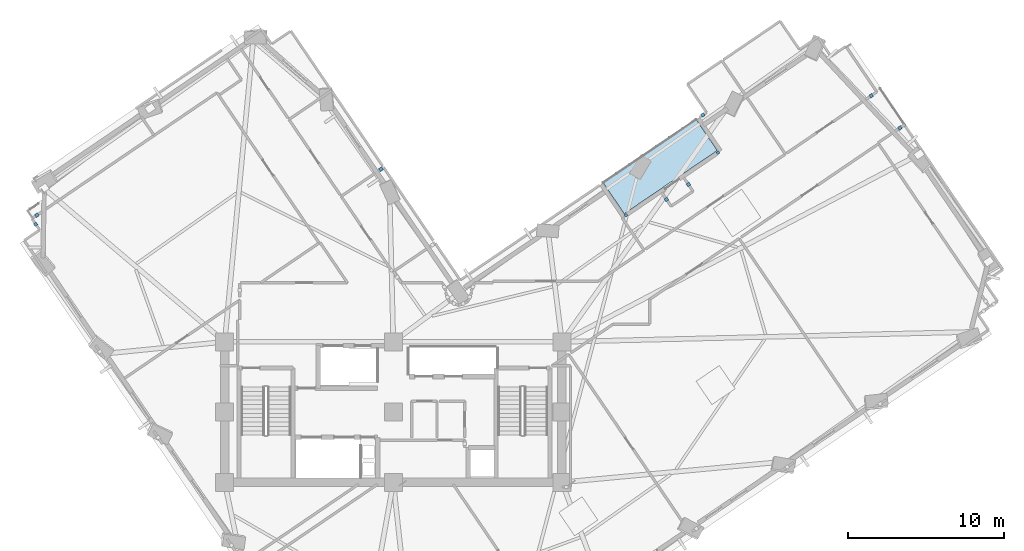
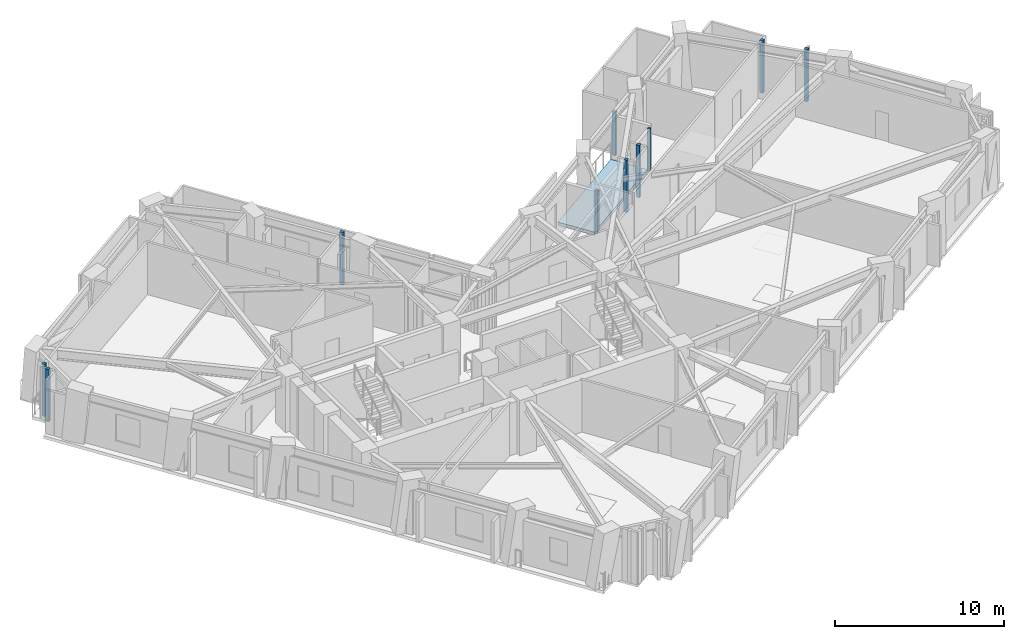
# One storey, part 5 of 16: 10 plates, 1 slab.
"""IFC4 building model written with IfcOpenShell, lengths in metres."""

from ifc_helpers import new_model, si_unit, direction, frame, origin, origin_2d, place, context, subcontext, project, spatial, polyline, rectangle, outline, extrude, material, layer, layer_set, type_object, element, save


model = new_model("IFC4")

# Units and contexts
model_context = context("Model", 3, precision=1e-05, world=origin(), true_north=direction((0.0, 1.0)))
body_context = subcontext(model_context, "Body", "Model", "MODEL_VIEW")
ifc_project = project(units=[si_unit("LENGTHUNIT", "METRE"), si_unit("AREAUNIT", "SQUARE_METRE"), si_unit("VOLUMEUNIT", "CUBIC_METRE"), si_unit("PLANEANGLEUNIT", "RADIAN"), si_unit("MASSUNIT", "GRAM", prefix="KILO")], contexts=[model_context])

# Site, building, storey
site_placement = place(None, origin())
site = spatial("IfcSite", under=ifc_project, at=site_placement, CompositionType="ELEMENT")
building_placement = place(site_placement, origin())
building = spatial("IfcBuilding", under=site, at=building_placement, Name="Gaonmaruhae Medical Tower", CompositionType="ELEMENT")
storey_placement = place(building_placement, frame((0.0, 0.0, 169.800048828125)))
storey = spatial("IfcBuildingStorey", under=building, at=storey_placement, Name="L40", CompositionType="ELEMENT", Elevation=169.800048828125)

# Plates
ifc_material_1 = material(Name="Anodised aluminium 6063-T6", Category="aluminium")
ifc_layer_1 = layer(ifc_material_1, 0.011962890625)
ifc_layer_set_1 = layer_set([ifc_layer_1], Name="Anodised aluminium 6063-T6")
plate_type = type_object("IfcPlateType", Name="PP-01 Interior Partition Corner Stiffener Plate", PredefinedType="SHEET", material=ifc_layer_set_1)
for number, where, z_axis, x_axis, name in (
    (1, (39.705322265625, 24.910888671875, 0.0), (0.0, 0.0, 1.0), (0.827080574275, 0.562083377852, 0.0), "L40 Partition End Jamb Post Plate PLT-L40-ENDP-TERB-0"),
    (2, (45.59423828125, 28.9130859375, 0.0), (0.0, 0.0, 1.0), (0.827080574275, 0.562083377852, 0.0), "L40 Partition End Jamb Post Plate PLT-L40-ENDP-TERB-1"),
):
    element("IfcPlate", number, at=place(storey_placement, frame(where, z_axis=z_axis, x_axis=x_axis)), inside=storey, type_object=plate_type, Name=name, PredefinedType="SHEET", context=body_context, shape_type="SweptSolid", body=[
        extrude(rectangle(XDim=0.179931640625, YDim=0.179931640625, at=origin_2d()), origin(), (0.0, 0.0, 1.0), 3.06494140625),
    ])
for number, where, z_axis, x_axis, name in (
    (3, (1.881103515625, 24.326904296875, 0.0), (0.0, 0.0, 1.0), (-0.562054506951, 0.827100194182, 0.0), "L40 Partition Corner Stiffener Plate PLT-L40-JGP-PW048"),
    (4, (1.965087890625, 24.9130859375, 0.0), (0.0, 0.0, 1.0), (0.827394371843, 0.561621361277, 0.0), "L40 Partition Corner Stiffener Plate PLT-L40-JGP-PW049"),
    (5, (42.29638671875, 25.91943359375, 0.0), (0.0, 0.0, 1.0), (0.561895704756, -0.827208085657, 0.0), "L40 Partition Corner Stiffener Plate PLT-L40-JGP-PW070"),
    (6, (43.702392578125, 26.875, 0.0), (0.0, 0.0, 1.0), (-0.562328752854, 0.826913764376, 0.0), "L40 Partition Corner Stiffener Plate PLT-L40-JGP-PW072"),
):
    element("IfcPlate", number, at=place(storey_placement, frame(where, z_axis=z_axis, x_axis=x_axis)), inside=storey, type_object=plate_type, Name=name, PredefinedType="SHEET", context=body_context, shape_type="SweptSolid", body=[
        extrude(rectangle(XDim=0.219970703125, YDim=0.219970703125, at=origin_2d()), origin(), (0.0, 0.0, 1.0), 3.780029296875),
    ])
plate_placement = place(storey_placement, frame((44.632080078125, 31.330078125, 0.0), z_axis=(0.0, 0.0, 1.0), x_axis=(0.826452205266, 0.56300688487, 0.0)))
element("IfcPlate", 7, at=plate_placement, inside=storey, type_object=plate_type, Name="L40 Partition Corner Stiffener Plate PLT-L40-JGP-PW073", PredefinedType="SHEET", context=body_context, shape_type="SweptSolid", body=[
    extrude(rectangle(XDim=0.219970703125, YDim=0.219970703125, at=origin_2d()), origin(), (0.0, 0.0, 1.0), 3.1650390625),
])
for number, where, z_axis, x_axis, name in (
    (8, (55.409423828125, 32.56103515625, 0.0), (0.0, 0.0, 1.0), (-0.827119813081, -0.562025635366, 0.0), "L40 Partition Corner Stiffener Plate PLT-L40-JGP-PW083"),
    (9, (24.009033203125, 27.8515625, 0.0), (0.0, 0.0, 1.0), (0.826717424237, 0.562617365945, 0.0), "L40 Partition Corner Stiffener Plate PLT-L40-JGP-PW089"),
    (10, (57.240478515625, 30.491943359375, 0.0), (0.0, 0.0, 1.0), (0.827002084568, 0.562198854606, 0.0), "L40 Partition Corner Stiffener Plate PLT-L40-JGP-PW106"),
):
    element("IfcPlate", number, at=place(storey_placement, frame(where, z_axis=z_axis, x_axis=x_axis)), inside=storey, type_object=plate_type, Name=name, PredefinedType="SHEET", context=body_context, shape_type="SweptSolid", body=[
        extrude(rectangle(XDim=0.219970703125, YDim=0.219970703125, at=origin_2d()), origin(), (0.0, 0.0, 1.0), 3.780029296875),
    ])

# Slab
ifc_material_2 = material(Name="Concrete C40/50", Category="concrete")
ifc_layer_2 = layer(ifc_material_2, 0.239990234375)
ifc_layer_set_2 = layer_set([ifc_layer_2], Name="Concrete C40/50")
slab_type = type_object("IfcSlabType", Name="TS-240 Sky Garden & Recovery Terrace Slab", PredefinedType="FLOOR", material=ifc_layer_set_2)
slab_placement = place(storey_placement, frame((0.0, 0.0, -0.239990234375)))
element("IfcSlab", 11, at=slab_placement, inside=storey, type_object=slab_type, Name="L40 Outdoor Recovery Terrace Slab", PredefinedType="FLOOR", context=body_context, shape_type="SweptSolid", body=[
    extrude(outline(polyline([(39.593505859375, 25.004150390625), (45.548583984375, 29.05126953125), (44.19970703125, 31.0361328125), (38.24462890625, 26.9892578125), (39.593505859375, 25.004150390625)])), origin(), (0.0, 0.0, 1.0), 0.239990234375),
])

save(model, "model.ifc")
